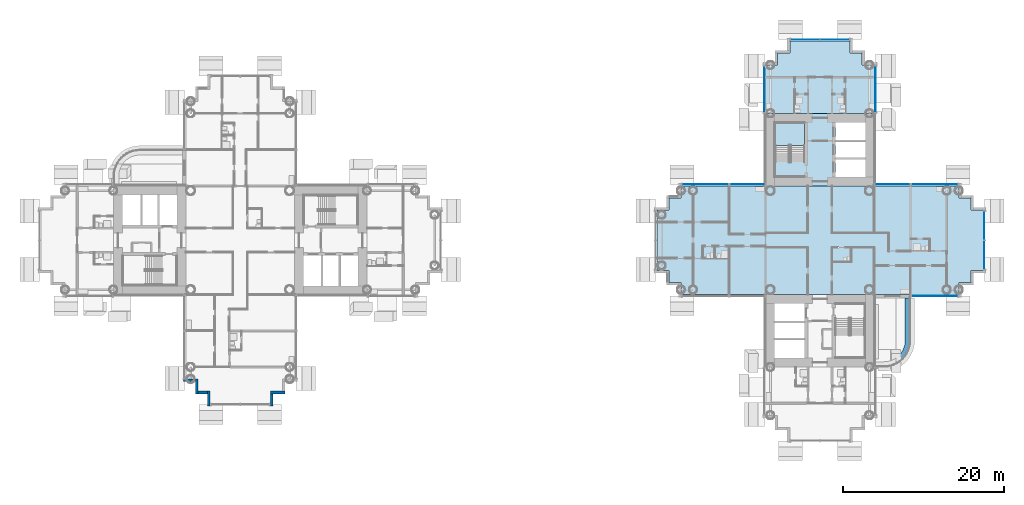
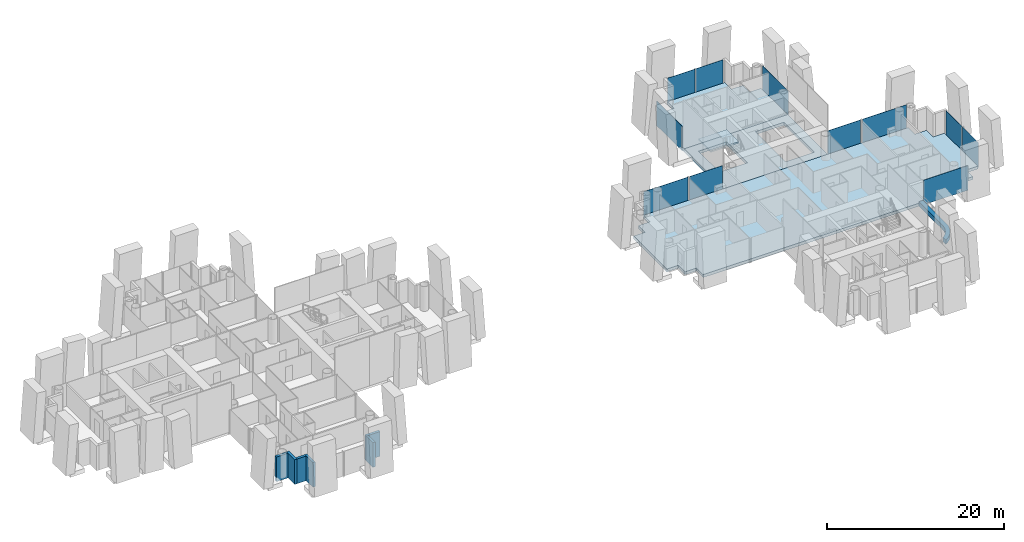
# One storey, part 9 of 25: 11 plates, 6 walls, 5 slabs, 10 elements without a shape of their own.
"""IFC4 building model written with IfcOpenShell, lengths in metres."""

from ifc_helpers import new_model, si_unit, direction, frame, frame_2d, origin, origin_2d, place, context, subcontext, project, spatial, polyline, rectangle, outline, extrude, material, layer, layer_set, type_object, element, aggregate, save


model = new_model("IFC4")

# Units and contexts
model_context = context("Model", 3, precision=1e-05, world=origin(), true_north=direction((0.0, 1.0)))
body_context = subcontext(model_context, "Body", "Model", "MODEL_VIEW")
ifc_project = project(units=[si_unit("LENGTHUNIT", "METRE"), si_unit("AREAUNIT", "SQUARE_METRE"), si_unit("VOLUMEUNIT", "CUBIC_METRE"), si_unit("PLANEANGLEUNIT", "RADIAN"), si_unit("MASSUNIT", "GRAM", prefix="KILO")], contexts=[model_context])

# Site, building, storey
site_placement = place(None, origin())
site = spatial("IfcSite", under=ifc_project, at=site_placement, CompositionType="ELEMENT")
building_placement = place(site_placement, origin())
building = spatial("IfcBuilding", under=site, at=building_placement, Name="Ipe Terrace Towers", CompositionType="ELEMENT")
storey_placement = place(building_placement, frame((0.0, 0.0, 31.300048828125)))
storey = spatial("IfcBuildingStorey", under=building, at=storey_placement, Name="L07", CompositionType="ELEMENT", Elevation=31.300048828125)

# Slab
ifc_material_1 = material(Name="Concrete C30/37", Category="concrete")
ifc_layer_1 = layer(ifc_material_1, 0.39990234375)
ifc_layer_set_1 = layer_set([ifc_layer_1], Name="CORE FLOOR SLAB 400 C30-37")
slab_type_1 = type_object("IfcSlabType", Name="CORE FLOOR SLAB 400 C30-37", PredefinedType="FLOOR", material=ifc_layer_set_1)
slab_1_placement = place(storey_placement, frame((0.0, 0.0, -0.400146484375)))
element("IfcSlab", 1, at=slab_1_placement, inside=storey, type_object=slab_type_1, Name="Core floor T2-C1", PredefinedType="FLOOR", context=body_context, shape_type="SweptSolid", body=[
    extrude(outline(polyline([(29.25, 6.75), (29.25, 15.75), (42.75, 15.75), (42.75, 6.75), (29.25, 6.75)]), holes=[polyline([(41.64990234375, 7.85009765625), (41.64990234375, 14.64990234375), (37.89990234375, 14.64990234375), (37.89990234375, 7.85009765625), (41.64990234375, 7.85009765625)]), polyline([(30.449951171875, 9.800048828125), (34.10009765625, 9.800048828125), (34.10009765625, 14.550048828125), (30.449951171875, 14.550048828125), (30.449951171875, 9.800048828125)])]), origin(), (0.0, 0.0, 1.0), 0.400146484375),
])

# Stair, slab
ifc_material_2 = material(Name="Concrete C30/37", Category="concrete")
stair_type = type_object("IfcStairType", Name="Protected exit stair", PredefinedType="HALF_TURN_STAIR", material=ifc_material_2)
stair_placement = place(storey_placement, origin())
stair = element("IfcStair", 2, at=stair_placement, inside=storey, type_object=stair_type, Name="L07 Exit stair T2-C1", PredefinedType="HALF_TURN_STAIR")
ifc_material_3 = material(Name="Concrete C30/37", Category="concrete")
ifc_layer_2 = layer(ifc_material_3, 0.199951171875)
ifc_layer_set_2 = layer_set([ifc_layer_2], Name="Exit stair landing 200")
slab_type_2 = type_object("IfcSlabType", Name="Exit stair landing 200", PredefinedType="LANDING", material=ifc_layer_set_2)
slab_2_placement = place(storey_placement, frame((0.0, 0.0, 1.5)))
slab_2 = element("IfcSlab", 3, at=slab_2_placement, type_object=slab_type_2, Name="T2-ST1 landing 1", PredefinedType="LANDING", context=body_context, shape_type="SweptSolid", body=[
    extrude(outline(polyline([(34.10009765625, 11.780029296875), (34.10009765625, 14.550048828125), (30.449951171875, 14.550048828125), (30.449951171875, 11.780029296875), (34.10009765625, 11.780029296875)])), origin(), (0.0, 0.0, 1.0), 0.199951171875),
])
aggregate(stair, [slab_2])

# Slabs
ifc_material_4 = material(Name="Concrete C40/50", Category="concrete")
ifc_layer_3 = layer(ifc_material_4, 0.39990234375)
ifc_layer_set_3 = layer_set([ifc_layer_3], Name="FLAT PLATE SLAB 400 C40-50")
slab_type_3 = type_object("IfcSlabType", Name="FLAT PLATE SLAB 400 C40-50", PredefinedType="FLOOR", material=ifc_layer_set_3)
slab_3_placement = place(storey_placement, frame((0.0, 0.0, -0.400146484375)))
element("IfcSlab", 4, at=slab_3_placement, inside=storey, type_object=slab_type_3, Name="Slab T2-FS-Z11", PredefinedType="FLOOR", context=body_context, shape_type="SweptSolid", body=[
    extrude(outline(polyline([(53.25, 5.25), (54.75, 5.25), (54.75, 3.75), (56.25, 3.75), (56.25, -3.75), (54.75, -3.75), (54.75, -5.25), (53.25, -5.25), (53.25, -6.75), (42.75, -6.75), (29.25, -6.75), (18.75, -6.75), (18.75, -5.25), (17.25, -5.25), (17.25, -3.75), (15.75, -3.75), (15.75, 3.75), (17.25, 3.75), (17.25, 5.25), (18.75, 5.25), (18.75, 6.75), (29.25, 6.75), (42.75, 6.75), (53.25, 6.75), (53.25, 5.25)])), origin(), (0.0, 0.0, 1.0), 0.400146484375),
])
slab_4_placement = place(storey_placement, frame((0.0, 0.0, -0.400146484375)))
element("IfcSlab", 5, at=slab_4_placement, inside=storey, type_object=slab_type_3, Name="Slab T2-FS-Z13", PredefinedType="FLOOR", context=body_context, shape_type="SweptSolid", body=[
    extrude(outline(polyline([(30.75, 21.75), (30.75, 23.25), (32.25, 23.25), (32.25, 24.75), (39.75, 24.75), (39.75, 23.25), (41.25, 23.25), (41.25, 21.75), (42.75, 21.75), (42.75, 15.75), (29.25, 15.75), (29.25, 21.75), (30.75, 21.75)])), origin(), (0.0, 0.0, 1.0), 0.400146484375),
])
ifc_material_5 = material(Name="Concrete C30/37", Category="concrete")
ifc_layer_4 = layer(ifc_material_5, 0.60009765625)
ifc_layer_set_4 = layer_set([ifc_layer_4], Name="PLANTER TROUGH 550 x 600")
slab_type_4 = type_object("IfcSlabType", Name="PLANTER TROUGH 550 x 600", PredefinedType="USERDEFINED", material=ifc_layer_set_4)
slab_5_placement = place(storey_placement, frame((0.0, 0.0, -0.02001953125)))
element("IfcSlab", 6, at=slab_5_placement, inside=storey, type_object=slab_type_4, Name="planter", ObjectType="PLANTER", PredefinedType="USERDEFINED", context=body_context, shape_type="SweptSolid", body=[
    extrude(outline(polyline([(45.555908203125, -14.54296875), (45.449951171875, -14.614013671875), (45.449951171875, -15.259033203125), (45.529052734375, -15.219970703125), (45.56005859375, -15.201904296875), (45.876953125, -14.990966796875), (45.905029296875, -14.968994140625), (46.19189453125, -14.717041015625), (46.217041015625, -14.69189453125), (46.468994140625, -14.405029296875), (46.490966796875, -14.376953125), (46.701904296875, -14.06005859375), (46.719970703125, -14.029052734375), (46.888916015625, -13.68701171875), (46.903076171875, -13.654052734375), (47.02490234375, -13.29296875), (47.034912109375, -13.258056640625), (47.10888671875, -12.884033203125), (47.114013671875, -12.847900390625), (47.138916015625, -12.455078125), (47.139892578125, -12.43701171875), (47.139892578125, -7.199951171875), (46.590087890625, -7.199951171875), (46.590087890625, -12.427978515625), (46.56591796875, -12.7939453125), (46.4990234375, -13.133056640625), (46.387939453125, -13.4599609375), (46.235107421875, -13.76904296875), (46.04296875, -14.055908203125), (45.81591796875, -14.31591796875), (45.555908203125, -14.54296875)])), origin(), (0.0, 0.0, 1.0), 0.599853515625),
])

# Curtain wall, plate
ifc_material_6 = material(Name="Aluminium alloy 6063-T6", Category="aluminium")
ifc_layer_5 = layer(ifc_material_6, 0.320068359375)
ifc_layer_set_5 = layer_set([ifc_layer_5], Name="TOWER UNITISED CURTAIN WALL")
curtain_wall_type = type_object("IfcCurtainWallType", Name="TOWER UNITISED CURTAIN WALL", PredefinedType="NOTDEFINED", material=ifc_layer_set_5)
curtain_wall_1_placement = place(storey_placement, origin())
curtain_wall_1 = element("IfcCurtainWall", 7, at=curtain_wall_1_placement, inside=storey, type_object=curtain_wall_type, Name="T2-CW-L07-07a curtain wall", PredefinedType="NOTDEFINED")
ifc_material_7 = material(Name="Glass, clear laminated", Category="glass")
ifc_layer_6 = layer(ifc_material_7, 0.031982421875)
ifc_layer_set_6 = layer_set([ifc_layer_6], Name="TOWER UNITISED GLASS PANEL 32")
plate_type = type_object("IfcPlateType", Name="TOWER UNITISED GLASS PANEL 32", PredefinedType="CURTAIN_PANEL", material=ifc_layer_set_6)
plate_1_placement = place(storey_placement, frame((50.25, -6.909912109375, -0.300048828125), z_axis=(0.0, 0.0, 1.0), x_axis=(1.0, 0.0, 0.0)))
plate_1 = element("IfcPlate", 8, at=plate_1_placement, type_object=plate_type, Name="T2-CW-L07-07a panel 1", PredefinedType="CURTAIN_PANEL", context=body_context, shape_type="SweptSolid", body=[
    extrude(rectangle(XDim=5.760009765625, YDim=0.031982421875, at=origin_2d()), origin(), (0.0, 0.0, 1.0), 3.39990234375),
])
aggregate(curtain_wall_1, [plate_1])

# Curtain wall, plates
curtain_wall_2_placement = place(storey_placement, origin())
curtain_wall_2 = element("IfcCurtainWall", 9, at=curtain_wall_2_placement, inside=storey, type_object=curtain_wall_type, Name="T2-CW-L07-12a curtain wall", PredefinedType="NOTDEFINED")
plate_2_placement = place(storey_placement, frame((56.409912109375, -1.831298828125, -0.300048828125), z_axis=(0.0, 0.0, 1.0), x_axis=(0.0, 1.0, 0.0)))
plate_2 = element("IfcPlate", 10, at=plate_2_placement, type_object=plate_type, Name="T2-CW-L07-12a panel 1", PredefinedType="CURTAIN_PANEL", context=body_context, shape_type="SweptSolid", body=[
    extrude(rectangle(XDim=3.597412109375, YDim=0.031982421875, at=origin_2d()), origin(), (0.0, 0.0, 1.0), 3.39990234375),
])
plate_3_placement = place(storey_placement, frame((56.409912109375, 1.831298828125, -0.300048828125), z_axis=(0.0, 0.0, 1.0), x_axis=(0.0, 1.0, 0.0)))
plate_3 = element("IfcPlate", 11, at=plate_3_placement, type_object=plate_type, Name="T2-CW-L07-12a panel 2", PredefinedType="CURTAIN_PANEL", context=body_context, shape_type="SweptSolid", body=[
    extrude(rectangle(XDim=3.597412109375, YDim=0.031982421875, at=origin_2d()), origin(), (0.0, 0.0, 1.0), 3.39990234375),
])
aggregate(curtain_wall_2, [plate_2, plate_3])

# Curtain wall, plate
curtain_wall_3_placement = place(storey_placement, origin())
curtain_wall_3 = element("IfcCurtainWall", 12, at=curtain_wall_3_placement, inside=storey, type_object=curtain_wall_type, Name="T2-CW-L07-17a curtain wall", PredefinedType="NOTDEFINED")
plate_4_placement = place(storey_placement, frame((50.25, 6.909912109375, -0.300048828125), z_axis=(0.0, 0.0, 1.0), x_axis=(-1.0, 0.0, 0.0)))
plate_4 = element("IfcPlate", 13, at=plate_4_placement, type_object=plate_type, Name="T2-CW-L07-17a panel 1", PredefinedType="CURTAIN_PANEL", context=body_context, shape_type="SweptSolid", body=[
    extrude(rectangle(XDim=5.760009765625, YDim=0.031982421875, at=origin_2d()), origin(), (0.0, 0.0, 1.0), 3.39990234375),
])
aggregate(curtain_wall_3, [plate_4])

curtain_wall_4_placement = place(storey_placement, origin())
curtain_wall_4 = element("IfcCurtainWall", 14, at=curtain_wall_4_placement, inside=storey, type_object=curtain_wall_type, Name="T2-CW-L07-18a curtain wall", PredefinedType="NOTDEFINED")
plate_5_placement = place(storey_placement, frame((45.0, 6.909912109375, -0.300048828125), z_axis=(0.0, 0.0, 1.0), x_axis=(-1.0, 0.0, 0.0)))
plate_5 = element("IfcPlate", 15, at=plate_5_placement, type_object=plate_type, Name="T2-CW-L07-18a panel 1", PredefinedType="CURTAIN_PANEL", context=body_context, shape_type="SweptSolid", body=[
    extrude(rectangle(XDim=4.260009765625, YDim=0.031982421875, at=origin_2d()), origin(), (0.0, 0.0, 1.0), 3.39990234375),
])
aggregate(curtain_wall_4, [plate_5])

curtain_wall_5_placement = place(storey_placement, origin())
curtain_wall_5 = element("IfcCurtainWall", 16, at=curtain_wall_5_placement, inside=storey, type_object=curtain_wall_type, Name="T2-CW-L07-20b curtain wall", PredefinedType="NOTDEFINED")
plate_6_placement = place(storey_placement, frame((42.909912109375, 18.75048828125, -0.300048828125), z_axis=(0.0, 0.0, 1.0), x_axis=(0.0, 1.0, 0.0)))
plate_6 = element("IfcPlate", 17, at=plate_6_placement, type_object=plate_type, Name="T2-CW-L07-20b panel 1", PredefinedType="CURTAIN_PANEL", context=body_context, shape_type="SweptSolid", body=[
    extrude(rectangle(XDim=5.759033203125, YDim=0.031982421875, at=origin_2d()), origin(), (0.0, 0.0, 1.0), 3.39990234375),
])
aggregate(curtain_wall_5, [plate_6])

# Curtain wall, plates
curtain_wall_6_placement = place(storey_placement, origin())
curtain_wall_6 = element("IfcCurtainWall", 18, at=curtain_wall_6_placement, inside=storey, type_object=curtain_wall_type, Name="T2-CW-L07-25a curtain wall", PredefinedType="NOTDEFINED")
plate_7_placement = place(storey_placement, frame((37.831298828125, 24.909912109375, -0.300048828125), z_axis=(0.0, 0.0, 1.0), x_axis=(-1.0, 0.0, 0.0)))
plate_7 = element("IfcPlate", 19, at=plate_7_placement, type_object=plate_type, Name="T2-CW-L07-25a panel 1", PredefinedType="CURTAIN_PANEL", context=body_context, shape_type="SweptSolid", body=[
    extrude(rectangle(XDim=3.597412109375, YDim=0.031982421875, at=origin_2d()), origin(), (0.0, 0.0, 1.0), 3.39990234375),
])
plate_8_placement = place(storey_placement, frame((34.168701171875, 24.909912109375, -0.300048828125), z_axis=(0.0, 0.0, 1.0), x_axis=(-1.0, 0.0, 0.0)))
plate_8 = element("IfcPlate", 20, at=plate_8_placement, type_object=plate_type, Name="T2-CW-L07-25a panel 2", PredefinedType="CURTAIN_PANEL", context=body_context, shape_type="SweptSolid", body=[
    extrude(rectangle(XDim=3.597412109375, YDim=0.031982421875, at=origin_2d()), origin(), (0.0, 0.0, 1.0), 3.39990234375),
])
aggregate(curtain_wall_6, [plate_7, plate_8])

# Curtain wall, plate
curtain_wall_7_placement = place(storey_placement, origin())
curtain_wall_7 = element("IfcCurtainWall", 21, at=curtain_wall_7_placement, inside=storey, type_object=curtain_wall_type, Name="T2-CW-L07-30a curtain wall", PredefinedType="NOTDEFINED")
plate_9_placement = place(storey_placement, frame((29.090087890625, 18.75048828125, -0.300048828125), z_axis=(0.0, 0.0, 1.0), x_axis=(0.0, -1.0, 0.0)))
plate_9 = element("IfcPlate", 22, at=plate_9_placement, type_object=plate_type, Name="T2-CW-L07-30a panel 1", PredefinedType="CURTAIN_PANEL", context=body_context, shape_type="SweptSolid", body=[
    extrude(rectangle(XDim=5.759033203125, YDim=0.031982421875, at=origin_2d()), origin(), (0.0, 0.0, 1.0), 3.39990234375),
])
aggregate(curtain_wall_7, [plate_9])

curtain_wall_8_placement = place(storey_placement, origin())
curtain_wall_8 = element("IfcCurtainWall", 23, at=curtain_wall_8_placement, inside=storey, type_object=curtain_wall_type, Name="T2-CW-L07-32a curtain wall", PredefinedType="NOTDEFINED")
plate_10_placement = place(storey_placement, frame((27.0, 6.909912109375, -0.300048828125), z_axis=(0.0, 0.0, 1.0), x_axis=(-1.0, 0.0, 0.0)))
plate_10 = element("IfcPlate", 24, at=plate_10_placement, type_object=plate_type, Name="T2-CW-L07-32a panel 1", PredefinedType="CURTAIN_PANEL", context=body_context, shape_type="SweptSolid", body=[
    extrude(rectangle(XDim=4.260009765625, YDim=0.031982421875, at=origin_2d()), origin(), (0.0, 0.0, 1.0), 3.39990234375),
])
aggregate(curtain_wall_8, [plate_10])

curtain_wall_9_placement = place(storey_placement, origin())
curtain_wall_9 = element("IfcCurtainWall", 25, at=curtain_wall_9_placement, inside=storey, type_object=curtain_wall_type, Name="T2-CW-L07-33a curtain wall", PredefinedType="NOTDEFINED")
plate_11_placement = place(storey_placement, frame((21.75, 6.909912109375, -0.300048828125), z_axis=(0.0, 0.0, 1.0), x_axis=(-1.0, 0.0, 0.0)))
plate_11 = element("IfcPlate", 26, at=plate_11_placement, type_object=plate_type, Name="T2-CW-L07-33a panel 1", PredefinedType="CURTAIN_PANEL", context=body_context, shape_type="SweptSolid", body=[
    extrude(rectangle(XDim=5.760009765625, YDim=0.031982421875, at=origin_2d()), origin(), (0.0, 0.0, 1.0), 3.39990234375),
])
aggregate(curtain_wall_9, [plate_11])

# Walls
ifc_material_8 = material(Name="Concrete C40/50 with buff precast cladding", Category="concrete")
ifc_layer_7 = layer(ifc_material_8, 0.320068359375)
ifc_layer_set_7 = layer_set([ifc_layer_7], Name="BUFF CLADDING WALL 320")
wall_type = type_object("IfcWallType", Name="BUFF CLADDING WALL 320", PredefinedType="STANDARD", material=ifc_layer_set_7)
wall_1_placement = place(storey_placement, frame((-43.070068359375, -17.409912109375, -0.300048828125), z_axis=(0.0, 0.0, 1.0), x_axis=(1.0, 0.0, 0.0)))
element("IfcWall", 27, at=wall_1_placement, inside=storey, type_object=wall_type, Name="T1-W-L07-08a wall", PredefinedType="STANDARD", context=body_context, shape_type="SweptSolid", body=[
    extrude(rectangle(XDim=1.5, YDim=0.320068359375, at=frame_2d((0.75, 0.0))), origin(), (0.0, 0.0, 1.0), 3.39990234375),
])
wall_2_placement = place(storey_placement, frame((-41.409912109375, -17.25, -0.300048828125), z_axis=(0.0, 0.0, 1.0), x_axis=(0.0, -1.0, 0.0)))
element("IfcWall", 28, at=wall_2_placement, inside=storey, type_object=wall_type, Name="T1-W-L07-09a wall", PredefinedType="STANDARD", context=body_context, shape_type="SweptSolid", body=[
    extrude(rectangle(XDim=1.820068359375, YDim=0.320068359375, at=frame_2d((0.91015625, 0.0))), origin(), (0.0, 0.0, 1.0), 3.39990234375),
])
wall_3_placement = place(storey_placement, frame((-41.25, -18.909912109375, -0.300048828125), z_axis=(0.0, 0.0, 1.0), x_axis=(1.0, 0.0, 0.0)))
element("IfcWall", 29, at=wall_3_placement, inside=storey, type_object=wall_type, Name="T1-W-L07-10a wall", PredefinedType="STANDARD", context=body_context, shape_type="SweptSolid", body=[
    extrude(rectangle(XDim=1.179931640625, YDim=0.320068359375, at=frame_2d((0.58984375, 0.0))), origin(), (0.0, 0.0, 1.0), 3.39990234375),
])
wall_4_placement = place(storey_placement, frame((-39.909912109375, -18.75, -0.300048828125), z_axis=(0.0, 0.0, 1.0), x_axis=(0.0, -1.0, 0.0)))
element("IfcWall", 30, at=wall_4_placement, inside=storey, type_object=wall_type, Name="T1-W-L07-11a wall", PredefinedType="STANDARD", context=body_context, shape_type="SweptSolid", body=[
    extrude(rectangle(XDim=1.820068359375, YDim=0.320068359375, at=frame_2d((0.91015625, 0.0))), origin(), (0.0, 0.0, 1.0), 3.39990234375),
])
wall_5_placement = place(storey_placement, frame((-32.090087890625, -20.570068359375, -0.300048828125), z_axis=(0.0, 0.0, 1.0), x_axis=(0.0, 1.0, 0.0)))
element("IfcWall", 31, at=wall_5_placement, inside=storey, type_object=wall_type, Name="T1-W-L07-13a wall", PredefinedType="STANDARD", context=body_context, shape_type="SweptSolid", body=[
    extrude(rectangle(XDim=1.5, YDim=0.320068359375, at=frame_2d((0.75, 0.0))), origin(), (0.0, 0.0, 1.0), 3.39990234375),
])
wall_6_placement = place(storey_placement, frame((-32.25, -18.909912109375, -0.300048828125), z_axis=(0.0, 0.0, 1.0), x_axis=(1.0, 0.0, 0.0)))
element("IfcWall", 32, at=wall_6_placement, inside=storey, type_object=wall_type, Name="T1-W-L07-14a wall", PredefinedType="STANDARD", context=body_context, shape_type="SweptSolid", body=[
    extrude(rectangle(XDim=1.820068359375, YDim=0.320068359375, at=frame_2d((0.91015625, 0.0))), origin(), (0.0, 0.0, 1.0), 3.39990234375),
])

save(model, "model.ifc")
